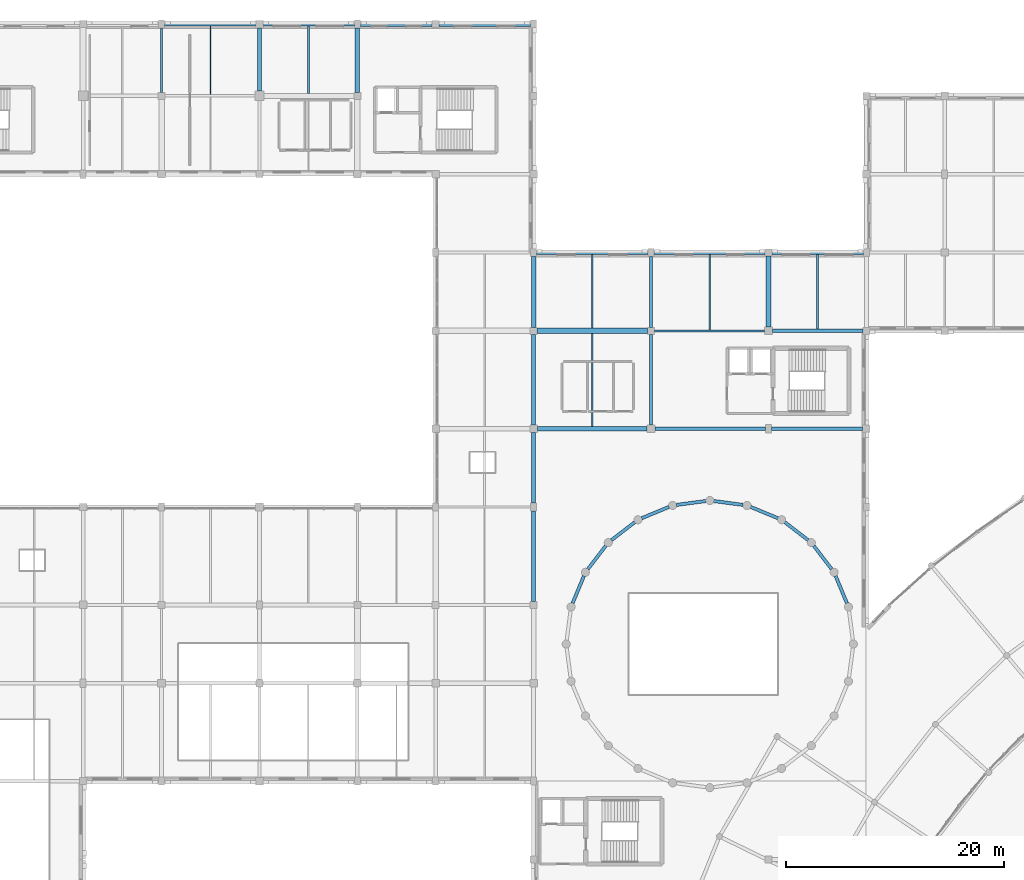
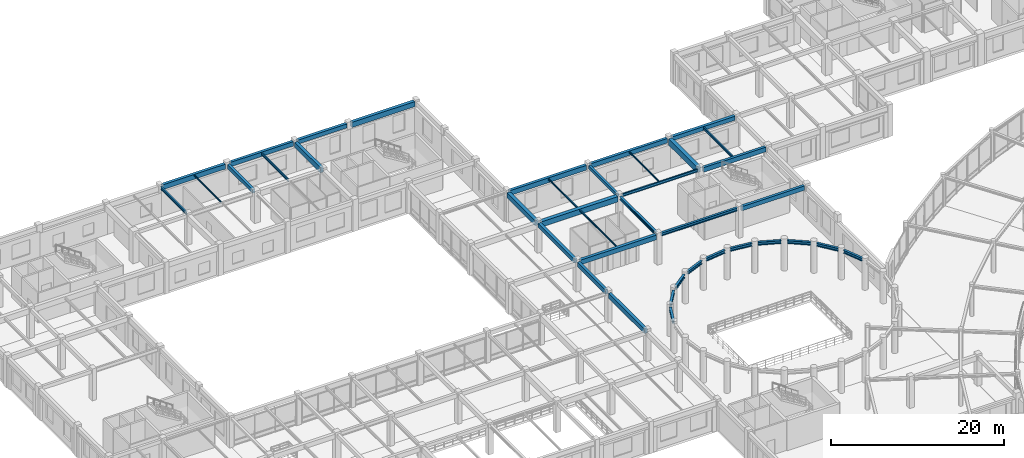
# One storey, part 17 of 62: 39 beams.
"""IFC4 building model written with IfcOpenShell, lengths in metres."""

from ifc_helpers import new_model, si_unit, direction, frame, origin, origin_2d, place, context, subcontext, project, spatial, rectangle, i_section, extrude, material, material_profile, profile_set, type_object, element, save


model = new_model("IFC4")

# Units and contexts
model_context = context("Model", 3, precision=1e-05, world=origin(), true_north=direction((0.0, 1.0)))
body_context = subcontext(model_context, "Body", "Model", "MODEL_VIEW")
ifc_project = project(units=[si_unit("LENGTHUNIT", "METRE"), si_unit("AREAUNIT", "SQUARE_METRE"), si_unit("VOLUMEUNIT", "CUBIC_METRE"), si_unit("PLANEANGLEUNIT", "RADIAN"), si_unit("MASSUNIT", "GRAM", prefix="KILO")], contexts=[model_context])

# Site, building, storey
site_placement = place(None, origin())
site = spatial("IfcSite", under=ifc_project, at=site_placement, CompositionType="ELEMENT")
building_placement = place(site_placement, origin())
building = spatial("IfcBuilding", under=site, at=building_placement, Name="Clarverna Civic Hall", CompositionType="ELEMENT")
storey_placement = place(building_placement, frame((0.0, 0.0, 5.10009765625)))
storey = spatial("IfcBuildingStorey", under=building, at=storey_placement, Name="L01", CompositionType="ELEMENT", Elevation=5.10009765625)

# Beams
ifc_material_1 = material(Name="Concrete C35/45", Category="concrete")
ifc_material_profile_1 = material_profile(ifc_material_1, rectangle(XDim=0.5, YDim=0.85009765625, at=origin_2d()), Name="RC 500x850")
ifc_profile_set_1 = profile_set([ifc_material_profile_1], Name="Concrete C35/45")
beam_type_1 = type_object("IfcBeamType", Name="B-RC1", PredefinedType="BEAM", material=ifc_profile_set_1)
beam_1_placement = place(storey_placement, frame((88.199951171875, 88.14990234375, 3.7548828125), z_axis=(0.0, 1.0, 0.0), x_axis=(-1.0, 0.0, 0.0)))
element("IfcBeam", 1, at=beam_1_placement, inside=storey, type_object=beam_type_1, Name="B-RC1-020", PredefinedType="BEAM", context=body_context, shape_type="SweptSolid", body=[
    extrude(rectangle(XDim=0.5, YDim=0.85009765625, at=origin_2d()), origin(), (0.0, 0.0, 1.0), 6.525146484375),
])
ifc_material_profile_2 = material_profile(ifc_material_1, rectangle(XDim=0.5, YDim=0.75, at=origin_2d()), Name="RC 500x750")
ifc_profile_set_2 = profile_set([ifc_material_profile_2], Name="Concrete C35/45")
beam_type_2 = type_object("IfcBeamType", Name="B-RC15", PredefinedType="BEAM", material=ifc_profile_set_2)
beam_2_placement = place(storey_placement, frame((66.925048828125, 87.800048828125, 3.804931640625), z_axis=(1.0, 0.0, 0.0), x_axis=(0.0, 1.0, 0.0)))
element("IfcBeam", 2, at=beam_2_placement, inside=storey, type_object=beam_type_2, Name="B-RC15-027", PredefinedType="BEAM", context=body_context, shape_type="SweptSolid", body=[
    extrude(rectangle(XDim=0.5, YDim=0.75, at=origin_2d()), origin(), (0.0, 0.0, 1.0), 10.14990234375),
])
ifc_material_profile_3 = material_profile(ifc_material_1, rectangle(XDim=0.39990234375, YDim=0.75, at=origin_2d()), Name="RC 400x750")
ifc_profile_set_3 = profile_set([ifc_material_profile_3], Name="Concrete C35/45")
beam_type_3 = type_object("IfcBeamType", Name="B-RC16", PredefinedType="BEAM", material=ifc_profile_set_3)
beam_3_placement = place(storey_placement, frame((50.39990234375, 109.72509765625, 3.844970703125), z_axis=(0.0, 1.0, 0.0), x_axis=(-1.0, 0.0, 0.0)))
element("IfcBeam", 3, at=beam_3_placement, inside=storey, type_object=beam_type_3, Name="B-RC16-023", PredefinedType="BEAM", context=body_context, shape_type="SweptSolid", body=[
    extrude(rectangle(XDim=0.39990234375, YDim=0.75, at=origin_2d()), origin(), (0.0, 0.0, 1.0), 5.89990234375),
])
ifc_material_profile_4 = material_profile(ifc_material_1, rectangle(XDim=0.35009765625, YDim=0.64990234375, at=origin_2d()), Name="RC 350x650")
ifc_profile_set_4 = profile_set([ifc_material_profile_4], Name="Concrete C35/45")
beam_type_4 = type_object("IfcBeamType", Name="B-RC17", PredefinedType="BEAM", material=ifc_profile_set_4)
beam_4_placement = place(storey_placement, frame((88.550048828125, 87.800048828125, 3.85498046875), z_axis=(1.0, 0.0, 0.0), x_axis=(0.0, 1.0, 0.0)))
element("IfcBeam", 4, at=beam_4_placement, inside=storey, type_object=beam_type_4, Name="B-RC17-024", PredefinedType="BEAM", context=body_context, shape_type="SweptSolid", body=[
    extrude(rectangle(XDim=0.35009765625, YDim=0.64990234375, at=origin_2d()), origin(), (0.0, 0.0, 1.0), 8.324951171875),
])
ifc_material_profile_5 = material_profile(ifc_material_1, rectangle(XDim=0.300048828125, YDim=0.449951171875, at=origin_2d()), Name="RC 300x450")
ifc_profile_set_5 = profile_set([ifc_material_profile_5], Name="Concrete C35/45")
beam_type_5 = type_object("IfcBeamType", Name="B-RC18", PredefinedType="BEAM", material=ifc_profile_set_5)
beam_5_placement = place(storey_placement, frame((77.39990234375, 88.125, 3.954833984375), z_axis=(0.0, 1.0, 0.0), x_axis=(-1.0, 0.0, 0.0)))
element("IfcBeam", 5, at=beam_5_placement, inside=storey, type_object=beam_type_5, Name="B-RC18-030", PredefinedType="BEAM", context=body_context, shape_type="SweptSolid", body=[
    extrude(rectangle(XDim=0.300048828125, YDim=0.449951171875, at=origin_2d()), origin(), (0.0, 0.0, 1.0), 6.5),
])
ifc_material_profile_6 = material_profile(ifc_material_1, rectangle(XDim=0.39990234375, YDim=0.64990234375, at=origin_2d()), Name="RC 400x650")
ifc_profile_set_6 = profile_set([ifc_material_profile_6], Name="Concrete C35/45")
beam_type_6 = type_object("IfcBeamType", Name="B-RC6", PredefinedType="BEAM", material=ifc_profile_set_6)
beam_6_placement = place(storey_placement, frame((66.949951171875, 78.800048828125, 3.85498046875), z_axis=(1.0, 0.0, 0.0), x_axis=(0.0, 1.0, 0.0)))
element("IfcBeam", 6, at=beam_6_placement, inside=storey, type_object=beam_type_6, Name="B-RC6-028", PredefinedType="BEAM", context=body_context, shape_type="SweptSolid", body=[
    extrude(rectangle(XDim=0.39990234375, YDim=0.64990234375, at=origin_2d()), origin(), (0.0, 0.0, 1.0), 10.10009765625),
])
ifc_material_profile_7 = material_profile(ifc_material_1, rectangle(XDim=0.35009765625, YDim=0.60009765625, at=origin_2d()), Name="RC 350x600")
ifc_profile_set_7 = profile_set([ifc_material_profile_7], Name="Concrete C35/45")
beam_type_7 = type_object("IfcBeamType", Name="B-RC8", PredefinedType="BEAM", material=ifc_profile_set_7)
beam_7_placement = place(storey_placement, frame((88.47509765625, 78.800048828125, 3.8798828125), z_axis=(1.0, 0.0, 0.0), x_axis=(0.0, 1.0, 0.0)))
element("IfcBeam", 7, at=beam_7_placement, inside=storey, type_object=beam_type_7, Name="B-RC8-023", PredefinedType="BEAM", context=body_context, shape_type="SweptSolid", body=[
    extrude(rectangle(XDim=0.35009765625, YDim=0.60009765625, at=origin_2d()), origin(), (0.0, 0.0, 1.0), 8.375),
])
ifc_material_profile_8 = material_profile(ifc_material_1, rectangle(XDim=0.35009765625, YDim=0.550048828125, at=origin_2d()), Name="RC 350x550")
ifc_profile_set_8 = profile_set([ifc_material_profile_8], Name="Concrete C35/45")
beam_type_8 = type_object("IfcBeamType", Name="B-RC9", PredefinedType="BEAM", material=ifc_profile_set_8)
beam_8_placement = place(storey_placement, frame((41.39990234375, 109.824951171875, 3.94482421875), z_axis=(0.0, 1.0, 0.0), x_axis=(-1.0, 0.0, 0.0)))
element("IfcBeam", 8, at=beam_8_placement, inside=storey, type_object=beam_type_8, Name="B-RC9-030", PredefinedType="BEAM", context=body_context, shape_type="SweptSolid", body=[
    extrude(rectangle(XDim=0.35009765625, YDim=0.550048828125, at=origin_2d()), origin(), (0.0, 0.0, 1.0), 5.824951171875),
])
ifc_material_profile_9 = material_profile(ifc_material_1, rectangle(XDim=0.419921875, YDim=0.719970703125, at=origin_2d()), Name="RC 420x720")
ifc_profile_set_9 = profile_set([ifc_material_profile_9], Name="Concrete C35/45")
beam_type_9 = type_object("IfcBeamType", Name="B-SP1", PredefinedType="SPANDREL", material=ifc_profile_set_9)
beam_9_placement = place(storey_placement, frame((57.925048828125, 116.0, 3.85986328125), z_axis=(1.0, 0.0, 0.0), x_axis=(0.0, 1.0, 0.0)))
element("IfcBeam", 9, at=beam_9_placement, inside=storey, type_object=beam_type_9, Name="B-SP1-067", PredefinedType="SPANDREL", context=body_context, shape_type="SweptSolid", body=[
    extrude(rectangle(XDim=0.419921875, YDim=0.719970703125, at=origin_2d()), origin(), (0.0, 0.0, 1.0), 8.39990234375),
])
beam_10_placement = place(storey_placement, frame((66.60009765625, 88.125, 3.81982421875), z_axis=(0.0, 1.0, 0.0), x_axis=(-1.0, 0.0, 0.0)))
element("IfcBeam", 10, at=beam_10_placement, inside=storey, type_object=beam_type_9, Name="B-SP1-076", PredefinedType="SPANDREL", context=body_context, shape_type="SweptSolid", body=[
    extrude(rectangle(XDim=0.419921875, YDim=0.719970703125, at=origin_2d()), origin(), (0.0, 0.0, 1.0), 6.5),
])
ifc_material_profile_10 = material_profile(ifc_material_1, rectangle(XDim=0.3798828125, YDim=0.679931640625, at=origin_2d()), Name="RC 380x680")
ifc_profile_set_10 = profile_set([ifc_material_profile_10], Name="Concrete C35/45")
beam_type_10 = type_object("IfcBeamType", Name="B-SP2", PredefinedType="SPANDREL", material=ifc_profile_set_10)
beam_11_placement = place(storey_placement, frame((66.875, 95.0, 3.83984375), z_axis=(1.0, 0.0, 0.0), x_axis=(0.0, 1.0, 0.0)))
element("IfcBeam", 11, at=beam_11_placement, inside=storey, type_object=beam_type_10, Name="B-SP2-063", PredefinedType="SPANDREL", context=body_context, shape_type="SweptSolid", body=[
    extrude(rectangle(XDim=0.3798828125, YDim=0.679931640625, at=origin_2d()), origin(), (0.0, 0.0, 1.0), 10.25),
])
beam_12_placement = place(storey_placement, frame((32.675048828125, 116.0, 3.8798828125), z_axis=(1.0, 0.0, 0.0), x_axis=(0.0, 1.0, 0.0)))
element("IfcBeam", 12, at=beam_12_placement, inside=storey, type_object=beam_type_10, Name="B-SP2-068", PredefinedType="SPANDREL", context=body_context, shape_type="SweptSolid", body=[
    extrude(rectangle(XDim=0.3798828125, YDim=0.679931640625, at=origin_2d()), origin(), (0.0, 0.0, 1.0), 8.375),
])
beam_13_placement = place(storey_placement, frame((66.60009765625, 62.925048828125, 3.83984375), z_axis=(0.0, 1.0, 0.0), x_axis=(-1.0, 0.0, 0.0)))
element("IfcBeam", 13, at=beam_13_placement, inside=storey, type_object=beam_type_10, Name="B-SP2-077", PredefinedType="SPANDREL", context=body_context, shape_type="SweptSolid", body=[
    extrude(rectangle(XDim=0.3798828125, YDim=0.679931640625, at=origin_2d()), origin(), (0.0, 0.0, 1.0), 8.300048828125),
])
ifc_material_profile_11 = material_profile(ifc_material_1, rectangle(XDim=0.360107421875, YDim=0.6201171875, at=origin_2d()), Name="RC 360x620")
ifc_profile_set_11 = profile_set([ifc_material_profile_11], Name="Concrete C35/45")
beam_type_11 = type_object("IfcBeamType", Name="B-SP3", PredefinedType="SPANDREL", material=ifc_profile_set_11)
beam_14_placement = place(storey_placement, frame((77.675048828125, 95.0, 3.869873046875), z_axis=(1.0, 0.0, 0.0), x_axis=(0.0, 1.0, 0.0)))
element("IfcBeam", 14, at=beam_14_placement, inside=storey, type_object=beam_type_11, Name="B-SP3-064", PredefinedType="SPANDREL", context=body_context, shape_type="SweptSolid", body=[
    extrude(rectangle(XDim=0.360107421875, YDim=0.6201171875, at=origin_2d()), origin(), (0.0, 0.0, 1.0), 10.199951171875),
])
beam_15_placement = place(storey_placement, frame((41.75, 116.0, 3.909912109375), z_axis=(1.0, 0.0, 0.0), x_axis=(0.0, 1.0, 0.0)))
element("IfcBeam", 15, at=beam_15_placement, inside=storey, type_object=beam_type_11, Name="B-SP3-068", PredefinedType="SPANDREL", context=body_context, shape_type="SweptSolid", body=[
    extrude(rectangle(XDim=0.360107421875, YDim=0.6201171875, at=origin_2d()), origin(), (0.0, 0.0, 1.0), 8.375),
])
beam_16_placement = place(storey_placement, frame((66.60009765625, 71.97509765625, 3.869873046875), z_axis=(0.0, 1.0, 0.0), x_axis=(-1.0, 0.0, 0.0)))
element("IfcBeam", 16, at=beam_16_placement, inside=storey, type_object=beam_type_11, Name="B-SP3-077", PredefinedType="SPANDREL", context=body_context, shape_type="SweptSolid", body=[
    extrude(rectangle(XDim=0.360107421875, YDim=0.6201171875, at=origin_2d()), origin(), (0.0, 0.0, 1.0), 6.474853515625),
])
ifc_material_profile_12 = material_profile(ifc_material_1, rectangle(XDim=0.39990234375, YDim=0.56005859375, at=origin_2d()), Name="RC 400x560")
ifc_profile_set_12 = profile_set([ifc_material_profile_12], Name="Concrete C35/45")
beam_type_12 = type_object("IfcBeamType", Name="B-SP4", PredefinedType="SPANDREL", material=ifc_profile_set_12)
beam_17_placement = place(storey_placement, frame((88.52490234375, 95.0, 3.89990234375), z_axis=(1.0, 0.0, 0.0), x_axis=(0.0, 1.0, 0.0)))
element("IfcBeam", 17, at=beam_17_placement, inside=storey, type_object=beam_type_12, Name="B-SP4-060", PredefinedType="SPANDREL", context=body_context, shape_type="SweptSolid", body=[
    extrude(rectangle(XDim=0.39990234375, YDim=0.56005859375, at=origin_2d()), origin(), (0.0, 0.0, 1.0), 8.400146484375),
])
beam_18_placement = place(storey_placement, frame((50.675048828125, 116.0, 3.93994140625), z_axis=(1.0, 0.0, 0.0), x_axis=(0.0, 1.0, 0.0)))
element("IfcBeam", 18, at=beam_18_placement, inside=storey, type_object=beam_type_12, Name="B-SP4-065", PredefinedType="SPANDREL", context=body_context, shape_type="SweptSolid", body=[
    extrude(rectangle(XDim=0.39990234375, YDim=0.56005859375, at=origin_2d()), origin(), (0.0, 0.0, 1.0), 6.599853515625),
])
beam_19_placement = place(storey_placement, frame((66.60009765625, 79.14990234375, 3.89990234375), z_axis=(0.0, 1.0, 0.0), x_axis=(-1.0, 0.0, 0.0)))
element("IfcBeam", 19, at=beam_19_placement, inside=storey, type_object=beam_type_12, Name="B-SP4-074", PredefinedType="SPANDREL", context=body_context, shape_type="SweptSolid", body=[
    extrude(rectangle(XDim=0.39990234375, YDim=0.56005859375, at=origin_2d()), origin(), (0.0, 0.0, 1.0), 8.3251953125),
])
ifc_material_2 = material(Name="Steel S355", Category="steel")
ifc_material_profile_13 = material_profile(ifc_material_2, i_section(OverallWidth=0.179931640625, OverallDepth=0.39990234375, WebThickness=0.008544921875, FlangeThickness=0.013427734375, FilletRadius=0.02099609375, at=origin_2d()), Name="IPE 400")
ifc_profile_set_13 = profile_set([ifc_material_profile_13], Name="Steel S355")
beam_type_13 = type_object("IfcBeamType", Name="B-ST14", PredefinedType="BEAM", material=ifc_profile_set_13)
beam_20_placement = place(storey_placement, frame((77.72509765625, 87.800048828125, 3.97998046875), z_axis=(1.0, 0.0, 0.0), x_axis=(0.0, 1.0, 0.0)))
element("IfcBeam", 20, at=beam_20_placement, inside=storey, type_object=beam_type_13, Name="B-ST14-006", PredefinedType="BEAM", context=body_context, shape_type="SweptSolid", body=[
    extrude(i_section(OverallWidth=0.179931640625, OverallDepth=0.39990234375, WebThickness=0.008544921875, FlangeThickness=0.013427734375, FilletRadius=0.02099609375, at=origin_2d()), origin(), (0.0, 0.0, 1.0), 10.125),
])
beam_21_placement = place(storey_placement, frame((32.39990234375, 109.72509765625, 4.02001953125), z_axis=(0.0, 1.0, 0.0), x_axis=(-1.0, 0.0, 0.0)))
element("IfcBeam", 21, at=beam_21_placement, inside=storey, type_object=beam_type_13, Name="B-ST14-007", PredefinedType="BEAM", context=body_context, shape_type="SweptSolid", body=[
    extrude(i_section(OverallWidth=0.179931640625, OverallDepth=0.39990234375, WebThickness=0.008544921875, FlangeThickness=0.013427734375, FilletRadius=0.02099609375, at=origin_2d()), origin(), (0.0, 0.0, 1.0), 5.89990234375),
])
ifc_material_profile_14 = material_profile(ifc_material_2, i_section(OverallWidth=0.300048828125, OverallDepth=0.43994140625, WebThickness=0.011474609375, FlangeThickness=0.02099609375, FilletRadius=0.027099609375, at=origin_2d()), Name="HEA 450")
ifc_profile_set_14 = profile_set([ifc_material_profile_14], Name="Steel S355")
beam_type_14 = type_object("IfcBeamType", Name="B-ST5", PredefinedType="BEAM", material=ifc_profile_set_14)
beam_22_placement = place(storey_placement, frame((77.75, 78.800048828125, 3.9599609375), z_axis=(1.0, 0.0, 0.0), x_axis=(0.0, 1.0, 0.0)))
element("IfcBeam", 22, at=beam_22_placement, inside=storey, type_object=beam_type_14, Name="B-ST5-052", PredefinedType="BEAM", context=body_context, shape_type="SweptSolid", body=[
    extrude(i_section(OverallWidth=0.300048828125, OverallDepth=0.43994140625, WebThickness=0.011474609375, FlangeThickness=0.02099609375, FilletRadius=0.027099609375, at=origin_2d()), origin(), (0.0, 0.0, 1.0), 10.175048828125),
])
beam_23_placement = place(storey_placement, frame((77.39990234375, 79.14990234375, 3.9599609375), z_axis=(0.0, 1.0, 0.0), x_axis=(-1.0, 0.0, 0.0)))
element("IfcBeam", 23, at=beam_23_placement, inside=storey, type_object=beam_type_14, Name="B-ST5-055", PredefinedType="BEAM", context=body_context, shape_type="SweptSolid", body=[
    extrude(i_section(OverallWidth=0.300048828125, OverallDepth=0.43994140625, WebThickness=0.011474609375, FlangeThickness=0.02099609375, FilletRadius=0.027099609375, at=origin_2d()), origin(), (0.0, 0.0, 1.0), 8.3251953125),
])
for number, where, z_axis, x_axis, name in (
    (24, (95.412353515625, 62.7490234375, 3.9599609375), (-0.382636575073, 0.923898940045, 0.0), (-0.923898940045, -0.382636575073, 0.0), "B-ST5-057"),
    (25, (94.01220703125, 65.885498046875, 3.9599609375), (-0.608706041243, 0.793395837747, 0.0), (-0.793395837747, -0.608706041243, 0.0), "B-ST5-058"),
    (26, (91.84814453125, 68.552978515625, 3.9599609375), (-0.793352581563, 0.608762417801, 0.0), (-0.608762417801, -0.793352581563, 0.0), "B-ST5-059"),
    (27, (89.0673828125, 70.5693359375, 3.9599609375), (-0.923898940045, 0.382636575073, 0.0), (-0.382636575073, -0.923898940045, 0.0), "B-ST5-060"),
):
    element("IfcBeam", number, at=place(storey_placement, frame(where, z_axis=z_axis, x_axis=x_axis)), inside=storey, type_object=beam_type_14, Name=name, PredefinedType="BEAM", context=body_context, shape_type="SweptSolid", body=[
        extrude(i_section(OverallWidth=0.300048828125, OverallDepth=0.43994140625, WebThickness=0.011474609375, FlangeThickness=0.02099609375, FilletRadius=0.027099609375, at=origin_2d()), origin(), (0.0, 0.0, 1.0), 2.725830078125),
    ])
for number, where, z_axis, x_axis, name in (
    (28, (85.859619140625, 71.797119140625, 3.9599609375), (-0.991437826512, 0.130579616175, 0.0), (-0.130579616175, -0.991437826512, 0.0), "B-ST5-061"),
    (29, (82.443115234375, 72.153076171875, 3.9599609375), (-0.991437826512, -0.130579616175, 0.0), (0.130579616175, -0.991437826512, 0.0), "B-ST5-062"),
):
    element("IfcBeam", number, at=place(storey_placement, frame(where, z_axis=z_axis, x_axis=x_axis)), inside=storey, type_object=beam_type_14, Name=name, PredefinedType="BEAM", context=body_context, shape_type="SweptSolid", body=[
        extrude(i_section(OverallWidth=0.300048828125, OverallDepth=0.43994140625, WebThickness=0.011474609375, FlangeThickness=0.02099609375, FilletRadius=0.027099609375, at=origin_2d()), origin(), (0.0, 0.0, 1.0), 2.72607421875),
    ])
for number, where, z_axis, x_axis, name in (
    (30, (79.051025390625, 71.6123046875, 3.9599609375), (-0.923898940045, -0.382636575073, 0.0), (0.382636575073, -0.923898940045, 0.0), "B-ST5-063"),
    (31, (75.914306640625, 70.21240234375, 3.9599609375), (-0.793352581563, -0.608762417801, 0.0), (0.608762417801, -0.793352581563, 0.0), "B-ST5-064"),
    (32, (73.2470703125, 68.048095703125, 3.9599609375), (-0.608762417801, -0.793352581563, 0.0), (0.793352581563, -0.608762417801, 0.0), "B-ST5-065"),
    (33, (71.230712890625, 65.267333984375, 3.9599609375), (-0.38271302584, -0.923867273938, 0.0), (0.923867273938, -0.38271302584, 0.0), "B-ST5-066"),
):
    element("IfcBeam", number, at=place(storey_placement, frame(where, z_axis=z_axis, x_axis=x_axis)), inside=storey, type_object=beam_type_14, Name=name, PredefinedType="BEAM", context=body_context, shape_type="SweptSolid", body=[
        extrude(i_section(OverallWidth=0.300048828125, OverallDepth=0.43994140625, WebThickness=0.011474609375, FlangeThickness=0.02099609375, FilletRadius=0.027099609375, at=origin_2d()), origin(), (0.0, 0.0, 1.0), 2.725830078125),
    ])
ifc_material_profile_15 = material_profile(ifc_material_2, i_section(OverallWidth=0.169921875, OverallDepth=0.360107421875, WebThickness=0.008056640625, FlangeThickness=0.0126953125, FilletRadius=0.01806640625, at=origin_2d()), Name="IPE 360")
ifc_profile_set_15 = profile_set([ifc_material_profile_15], Name="Steel S355")
beam_type_15 = type_object("IfcBeamType", Name="J-ST1", PredefinedType="JOIST", material=ifc_profile_set_15)
beam_24_placement = place(storey_placement, frame((92.699951171875, 87.97509765625, 4.0), z_axis=(0.0, 1.0, 0.0), x_axis=(-1.0, 0.0, 0.0)))
element("IfcBeam", 34, at=beam_24_placement, inside=storey, type_object=beam_type_15, Name="J-ST1-043", PredefinedType="JOIST", context=body_context, shape_type="SweptSolid", body=[
    extrude(i_section(OverallWidth=0.169921875, OverallDepth=0.360107421875, WebThickness=0.008056640625, FlangeThickness=0.0126953125, FilletRadius=0.01806640625, at=origin_2d()), origin(), (0.0, 0.0, 1.0), 6.824951171875),
])
beam_25_placement = place(storey_placement, frame((45.89990234375, 109.625, 4.039794921875), z_axis=(0.0, 1.0, 0.0), x_axis=(-1.0, 0.0, 0.0)))
element("IfcBeam", 35, at=beam_25_placement, inside=storey, type_object=beam_type_15, Name="J-ST1-047", PredefinedType="JOIST", context=body_context, shape_type="SweptSolid", body=[
    extrude(i_section(OverallWidth=0.169921875, OverallDepth=0.360107421875, WebThickness=0.008056640625, FlangeThickness=0.0126953125, FilletRadius=0.01806640625, at=origin_2d()), origin(), (0.0, 0.0, 1.0), 6.195068359375),
])
ifc_material_profile_16 = material_profile(ifc_material_2, i_section(OverallWidth=0.1201171875, OverallDepth=0.239990234375, WebThickness=0.006103515625, FlangeThickness=0.009765625, FilletRadius=0.014892578125, at=origin_2d()), Name="IPE 240")
ifc_profile_set_16 = profile_set([ifc_material_profile_16], Name="Steel S355")
beam_type_16 = type_object("IfcBeamType", Name="J-ST5", PredefinedType="JOIST", material=ifc_profile_set_16)
beam_26_placement = place(storey_placement, frame((72.0, 88.050048828125, 4.059814453125), z_axis=(0.0, 1.0, 0.0), x_axis=(-1.0, 0.0, 0.0)))
element("IfcBeam", 36, at=beam_26_placement, inside=storey, type_object=beam_type_16, Name="J-ST5-042", PredefinedType="JOIST", context=body_context, shape_type="SweptSolid", body=[
    extrude(i_section(OverallWidth=0.1201171875, OverallDepth=0.239990234375, WebThickness=0.006103515625, FlangeThickness=0.009765625, FilletRadius=0.014892578125, at=origin_2d()), origin(), (0.0, 0.0, 1.0), 6.760009765625),
])
ifc_material_profile_17 = material_profile(ifc_material_2, i_section(OverallWidth=0.110107421875, OverallDepth=0.219970703125, WebThickness=0.005859375, FlangeThickness=0.00927734375, FilletRadius=0.011962890625, at=origin_2d()), Name="IPE 220")
ifc_profile_set_17 = profile_set([ifc_material_profile_17], Name="Steel S355")
beam_type_17 = type_object("IfcBeamType", Name="J-ST6", PredefinedType="JOIST", material=ifc_profile_set_17)
beam_27_placement = place(storey_placement, frame((72.0, 79.0, 4.06982421875), z_axis=(0.0, 1.0, 0.0), x_axis=(-1.0, 0.0, 0.0)))
element("IfcBeam", 37, at=beam_27_placement, inside=storey, type_object=beam_type_17, Name="J-ST6-042", PredefinedType="JOIST", context=body_context, shape_type="SweptSolid", body=[
    extrude(i_section(OverallWidth=0.110107421875, OverallDepth=0.219970703125, WebThickness=0.005859375, FlangeThickness=0.00927734375, FilletRadius=0.011962890625, at=origin_2d()), origin(), (0.0, 0.0, 1.0), 8.550048828125),
])
beam_28_placement = place(storey_placement, frame((82.800048828125, 87.889892578125, 4.06982421875), z_axis=(0.0, 1.0, 0.0), x_axis=(-1.0, 0.0, 0.0)))
element("IfcBeam", 38, at=beam_28_placement, inside=storey, type_object=beam_type_17, Name="J-ST6-043", PredefinedType="JOIST", context=body_context, shape_type="SweptSolid", body=[
    extrude(i_section(OverallWidth=0.110107421875, OverallDepth=0.219970703125, WebThickness=0.005859375, FlangeThickness=0.00927734375, FilletRadius=0.011962890625, at=origin_2d()), origin(), (0.0, 0.0, 1.0), 6.93017578125),
])
beam_29_placement = place(storey_placement, frame((36.89990234375, 109.5048828125, 4.10986328125), z_axis=(0.0, 1.0, 0.0), x_axis=(-1.0, 0.0, 0.0)))
element("IfcBeam", 39, at=beam_29_placement, inside=storey, type_object=beam_type_17, Name="J-ST6-047", PredefinedType="JOIST", context=body_context, shape_type="SweptSolid", body=[
    extrude(i_section(OverallWidth=0.110107421875, OverallDepth=0.219970703125, WebThickness=0.005859375, FlangeThickness=0.00927734375, FilletRadius=0.011962890625, at=origin_2d()), origin(), (0.0, 0.0, 1.0), 6.30517578125),
])

save(model, "model.ifc")
